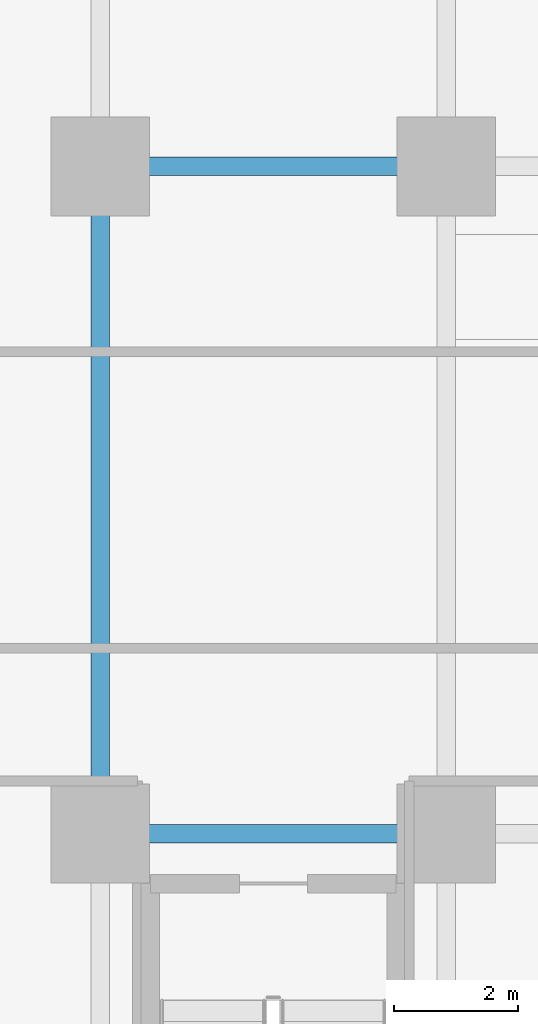
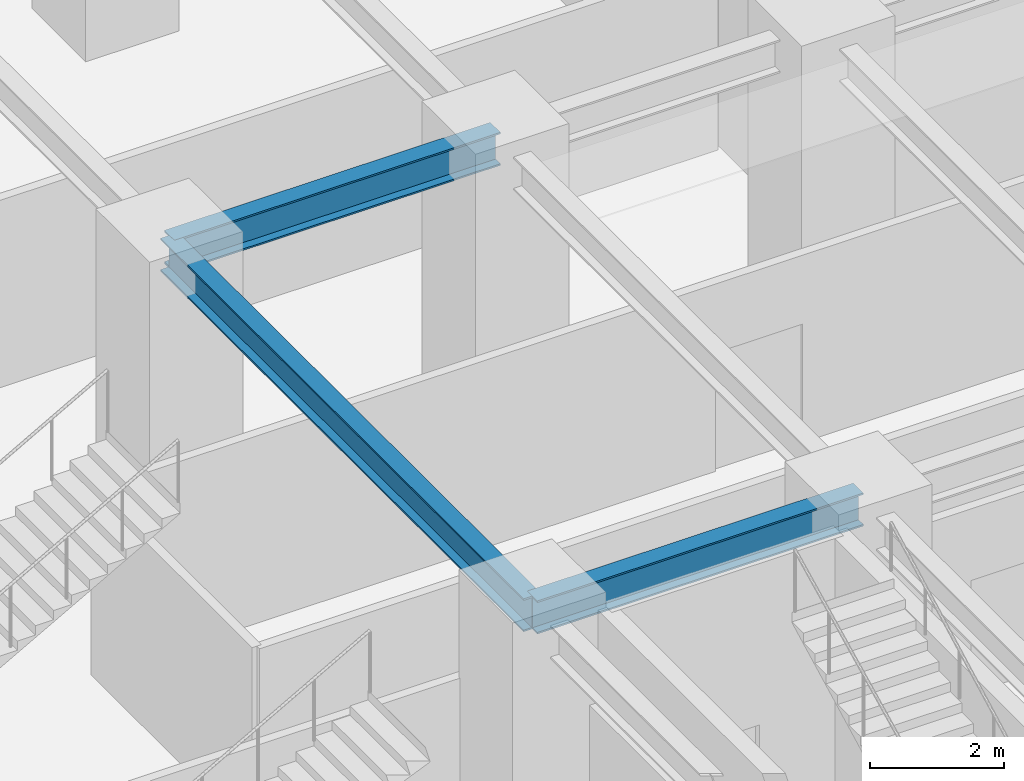
# One storey, part 8 of 34: 3 beams.
"""IFC4 building model written with IfcOpenShell, lengths in metres."""

from ifc_helpers import new_model, si_unit, direction, frame, origin, origin_2d, place, context, subcontext, project, spatial, i_section, extrude, source, transform, mapped, material, material_profile, profile_set, type_object, element, save


model = new_model("IFC4")

# Units and contexts
model_context = context("Model", 3, precision=1e-05, world=origin(), true_north=direction((0.0, 1.0)))
body_context = subcontext(model_context, "Body", "Model", "MODEL_VIEW")
ifc_project = project(units=[si_unit("LENGTHUNIT", "METRE"), si_unit("AREAUNIT", "SQUARE_METRE"), si_unit("VOLUMEUNIT", "CUBIC_METRE"), si_unit("PLANEANGLEUNIT", "RADIAN"), si_unit("MASSUNIT", "GRAM", prefix="KILO")], contexts=[model_context])

# Site, building, storey
site_placement = place(None, origin())
site = spatial("IfcSite", under=ifc_project, at=site_placement, CompositionType="ELEMENT")
building_placement = place(site_placement, origin())
building = spatial("IfcBuilding", under=site, at=building_placement, Name="Nahalor Promenade Grand Hotel", CompositionType="ELEMENT")
storey_placement = place(building_placement, frame((0.0, 0.0, 16.199951171875)))
storey = spatial("IfcBuildingStorey", under=building, at=storey_placement, Name="L03", CompositionType="ELEMENT", Elevation=16.199951171875)

# Beams
ifc_material = material(Name="Steel S355JR", Category="steel")
ifc_material_profile = material_profile(ifc_material, i_section(OverallWidth=0.3, OverallDepth=0.6, WebThickness=0.0155, FlangeThickness=0.03, at=origin_2d()), Name="HEB 600")
ifc_profile_set = profile_set([ifc_material_profile], Name="Steel S355JR")
beam_type = type_object("IfcBeamType", Name="Beam-Girder-HEB600", PredefinedType="BEAM", material=ifc_profile_set)
shared_shape_1 = source(origin(), body_context, "Body", "SweptSolid", [
    extrude(i_section(OverallWidth=0.3, OverallDepth=0.6, WebThickness=0.0155, FlangeThickness=0.03, at=origin_2d()), origin(), (0.0, 0.0, 1.0), 5.599853515625),
])
for number, where, z_axis, x_axis, name in (
    (1, (-8.39990234375, -5.39990234375, 4.780029296875), (1.0, 0.0, 0.0), (0.0, 1.0, 0.0), "BM-L03-GX-1-0"),
    (2, (-8.39990234375, 5.39990234375, 4.780029296875), (1.0, 0.0, 0.0), (0.0, 1.0, 0.0), "BM-L03-GX-2-0"),
):
    element("IfcBeam", number, at=place(storey_placement, frame(where, z_axis=z_axis, x_axis=x_axis)), inside=storey, type_object=beam_type, Name=name, PredefinedType="BEAM", context=body_context, shape_type="MappedRepresentation", body=[
        mapped(shared_shape_1, transform((0.0, 0.0, 0.0), scale=1.0)),
    ])
shared_shape_2 = source(origin(), body_context, "Body", "SweptSolid", [
    extrude(i_section(OverallWidth=0.3, OverallDepth=0.6, WebThickness=0.0155, FlangeThickness=0.03, at=origin_2d()), origin(), (0.0, 0.0, 1.0), 10.7998046875),
])
beam_placement = place(storey_placement, frame((-8.39990234375, -5.39990234375, 4.780029296875), z_axis=(0.0, 1.0, 0.0), x_axis=(-1.0, 0.0, 0.0)))
element("IfcBeam", 3, at=beam_placement, inside=storey, type_object=beam_type, Name="BM-L03-GY-1-2", PredefinedType="BEAM", context=body_context, shape_type="MappedRepresentation", body=[
    mapped(shared_shape_2, transform((0.0, 0.0, 0.0), scale=1.0)),
])

save(model, "model.ifc")
